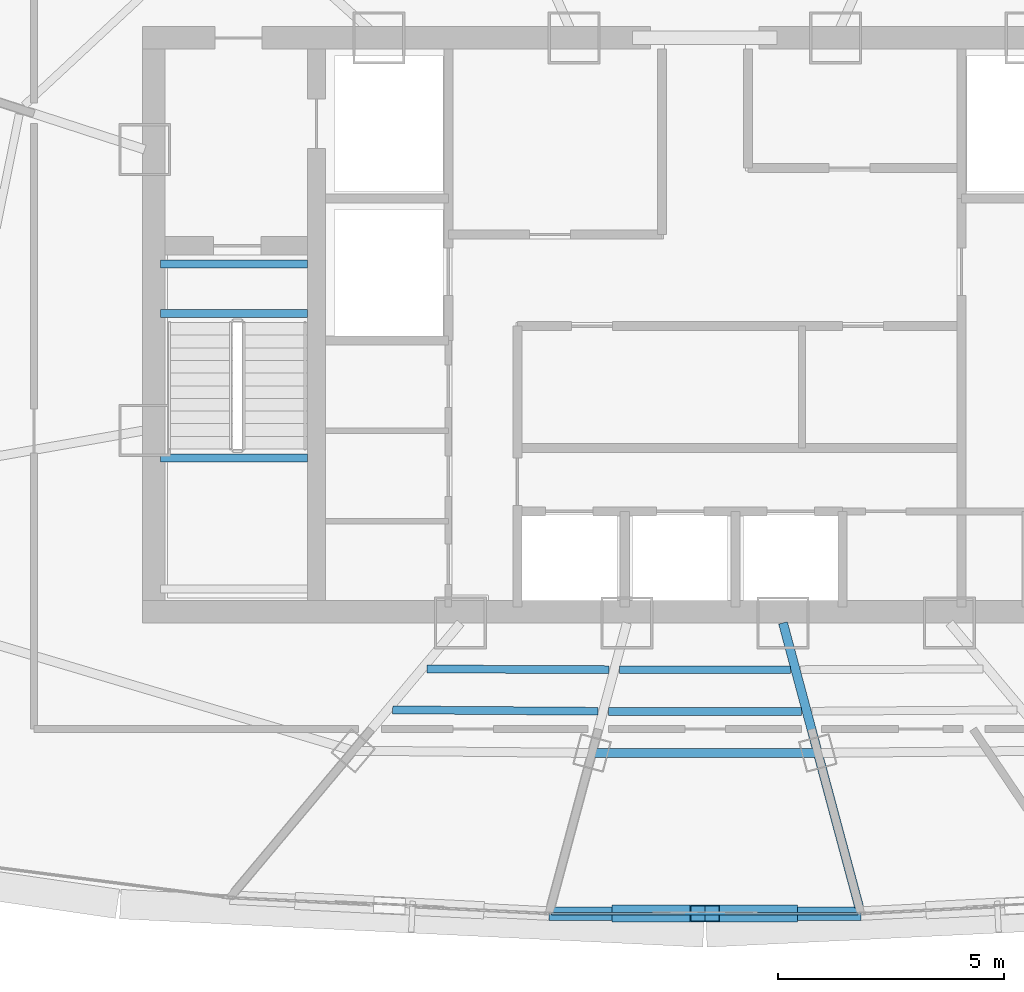
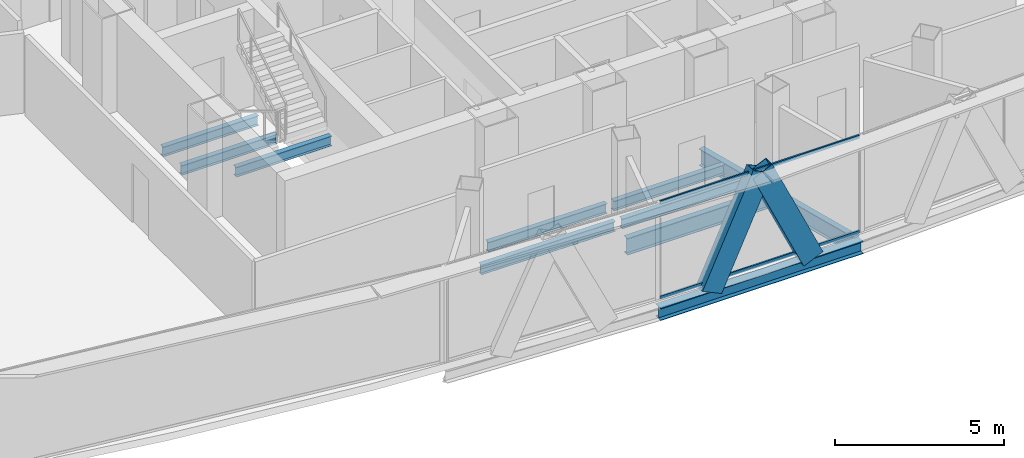
# One storey, part 7 of 33: 10 beams, 4 members, 1 element without a shape of its own.
"""IFC4 building model written with IfcOpenShell, lengths in metres."""

from ifc_helpers import new_model, si_unit, direction, frame, origin, origin_2d, place, context, subcontext, project, spatial, hollow_rectangle, i_section, extrude, source, transform, mapped, material, layer, layer_set, material_profile, profile_set, type_object, element, aggregate, save


model = new_model("IFC4")

# Units and contexts
model_context = context("Model", 3, precision=1e-05, world=origin(), true_north=direction((0.0, 1.0)))
body_context = subcontext(model_context, "Body", "Model", "MODEL_VIEW")
ifc_project = project(units=[si_unit("LENGTHUNIT", "METRE"), si_unit("AREAUNIT", "SQUARE_METRE"), si_unit("VOLUMEUNIT", "CUBIC_METRE"), si_unit("PLANEANGLEUNIT", "RADIAN"), si_unit("MASSUNIT", "GRAM", prefix="KILO"), si_unit("THERMODYNAMICTEMPERATUREUNIT", "KELVIN"), si_unit("POWERUNIT", "WATT")], contexts=[model_context])

# Site, building, storey
site_placement = place(None, origin())
site = spatial("IfcSite", under=ifc_project, at=site_placement, CompositionType="ELEMENT")
building_placement = place(site_placement, origin())
building = spatial("IfcBuilding", under=site, at=building_placement, Name="Yunzhuo Pagoda Commons", CompositionType="ELEMENT")
storey_placement = place(building_placement, frame((0.0, 0.0, 325.510009765625)))
storey = spatial("IfcBuildingStorey", under=building, at=storey_placement, Name="L81", CompositionType="ELEMENT", Elevation=325.510009765625)

# Beams
ifc_material_1 = material(Name="Structural steel Q355B", Category="steel")
ifc_material_profile_1 = material_profile(ifc_material_1, i_section(OverallWidth=0.175048828125, OverallDepth=0.35009765625, WebThickness=0.007080078125, FlangeThickness=0.010986328125, at=origin_2d()), Name="Structural steel Q355B")
ifc_profile_set_1 = profile_set([ifc_material_profile_1], Name="Structural steel Q355B")
beam_type_1 = type_object("IfcBeamType", Name="B-JS2 Joist HN 350x175x7x11", PredefinedType="JOIST", material=ifc_profile_set_1)
shared_shape_1 = source(origin(), body_context, "Body", "SweptSolid", [
    extrude(i_section(OverallWidth=0.175048828125, OverallDepth=0.35009765625, WebThickness=0.007080078125, FlangeThickness=0.010986328125, at=origin_2d()), origin(), (0.0, 0.0, 1.0), 3.25),
])
for number, where, z_axis, x_axis, name in (
    (1, (35.949951171875, 30.89990234375, 1.5), (1.0, 0.0, 0.0), (0.0, 1.0, 0.0), "L81 ST1 landing support beam 87B"),
    (2, (35.949951171875, 34.10009765625, -0.375), (1.0, 0.0, 0.0), (0.0, 1.0, 0.0), "L81 ST1 landing support beam 185A"),
    (3, (35.949951171875, 35.199951171875, -0.375), (1.0, 0.0, 0.0), (0.0, 1.0, 0.0), "L81 ST1 landing support beam 185B"),
):
    element("IfcBeam", number, at=place(storey_placement, frame(where, z_axis=z_axis, x_axis=x_axis)), inside=storey, type_object=beam_type_1, Name=name, PredefinedType="JOIST", context=body_context, shape_type="MappedRepresentation", body=[
        mapped(shared_shape_1, transform((0.0, 0.0, 0.0), scale=1.0)),
    ])
ifc_material_profile_2 = material_profile(ifc_material_1, i_section(OverallWidth=0.300048828125, OverallDepth=0.43994140625, WebThickness=0.010986328125, FlangeThickness=0.01806640625, at=origin_2d()), Name="Structural steel Q355B")
ifc_profile_set_2 = profile_set([ifc_material_profile_2], Name="Structural steel Q355B")
beam_type_2 = type_object("IfcBeamType", Name="B-SP2 Beam HM 440x300x11x18", PredefinedType="BEAM", material=ifc_profile_set_2)
shared_shape_2 = source(origin(), body_context, "Body", "SweptSolid", [
    extrude(i_section(OverallWidth=0.300048828125, OverallDepth=0.43994140625, WebThickness=0.010986328125, FlangeThickness=0.01806640625, at=origin_2d()), origin(), (0.0, 0.0, 1.0), 6.90380859375),
])
beam_1_placement = place(storey_placement, frame((44.548095703125, 20.817138671875, -0.47998046875), z_axis=(1.0, 0.0, 0.0), x_axis=(0.0, 1.0, 0.0)))
element("IfcBeam", 4, at=beam_1_placement, inside=storey, type_object=beam_type_2, Name="L81 facade edge spandrel beam F1.2", PredefinedType="BEAM", context=body_context, shape_type="MappedRepresentation", body=[
    mapped(shared_shape_2, transform((0.0, 0.0, 0.0), scale=1.0)),
])
ifc_material_profile_3 = material_profile(ifc_material_1, i_section(OverallWidth=0.199951171875, OverallDepth=0.60009765625, WebThickness=0.010986328125, FlangeThickness=0.01708984375, at=origin_2d()), Name="Structural steel Q355B")
ifc_profile_set_3 = profile_set([ifc_material_profile_3], Name="Structural steel Q355B")
beam_type_3 = type_object("IfcBeamType", Name="B-RG3 Beam HN 600x200x11x17", PredefinedType="BEAM", material=ifc_profile_set_3)
shared_shape_3 = source(origin(), body_context, "Body", "SweptSolid", [
    extrude(i_section(OverallWidth=0.199951171875, OverallDepth=0.60009765625, WebThickness=0.010986328125, FlangeThickness=0.01708984375, at=origin_2d()), origin(), (0.0, 0.0, 1.0), 4.99853515625),
])
beam_2_placement = place(storey_placement, frame((45.500732421875, 24.372802734375, -0.56005859375), z_axis=(1.0, 0.0, 0.0), x_axis=(0.0, 1.0, 0.0)))
element("IfcBeam", 5, at=beam_2_placement, inside=storey, type_object=beam_type_3, Name="L81 column-ring beam 2", PredefinedType="BEAM", context=body_context, shape_type="MappedRepresentation", body=[
    mapped(shared_shape_3, transform((0.0, 0.0, 0.0), scale=1.0)),
])
shared_shape_4 = source(origin(), body_context, "Body", "SweptSolid", [
    extrude(i_section(OverallWidth=0.199951171875, OverallDepth=0.60009765625, WebThickness=0.010986328125, FlangeThickness=0.01708984375, at=origin_2d()), origin(), (0.0, 0.0, 1.0), 6.5048828125),
])
beam_3_placement = place(storey_placement, frame((51.411865234375, 20.966796875, -0.56005859375), z_axis=(-0.258786113229, 0.965934649756, 0.0), x_axis=(-0.965934649756, -0.258786113229, 0.0)))
element("IfcBeam", 6, at=beam_3_placement, inside=storey, type_object=beam_type_3, Name="L81 radial floor girder F1C3", PredefinedType="BEAM", context=body_context, shape_type="MappedRepresentation", body=[
    mapped(shared_shape_4, transform((0.0, 0.0, 0.0), scale=1.0)),
])
shared_shape_5 = source(origin(), body_context, "Body", "SweptSolid", [
    extrude(i_section(OverallWidth=0.175048828125, OverallDepth=0.35009765625, WebThickness=0.007080078125, FlangeThickness=0.010986328125, at=origin_2d()), origin(), (0.0, 0.0, 1.0), 4.03076171875),
])
beam_4_placement = place(storey_placement, frame((41.848388671875, 26.231201171875, -0.43505859375), z_axis=(0.999991518197, -0.004118680996, 0.0), x_axis=(0.004118680996, 0.999991518197, 0.0)))
element("IfcBeam", 7, at=beam_4_placement, inside=storey, type_object=beam_type_1, Name="L81 composite ring joist 1.1", PredefinedType="JOIST", context=body_context, shape_type="MappedRepresentation", body=[
    mapped(shared_shape_5, transform((0.0, 0.0, 0.0), scale=1.0)),
])
shared_shape_6 = source(origin(), body_context, "Body", "SweptSolid", [
    extrude(i_section(OverallWidth=0.175048828125, OverallDepth=0.35009765625, WebThickness=0.007080078125, FlangeThickness=0.010986328125, at=origin_2d()), origin(), (0.0, 0.0, 1.0), 4.54345703125),
])
beam_5_placement = place(storey_placement, frame((41.089111328125, 25.325927734375, -0.43505859375), z_axis=(0.999975976237, -0.006931590593, 0.0), x_axis=(0.006931590593, 0.999975976237, 0.0)))
element("IfcBeam", 8, at=beam_5_placement, inside=storey, type_object=beam_type_1, Name="L81 composite ring joist 2.1", PredefinedType="JOIST", context=body_context, shape_type="MappedRepresentation", body=[
    mapped(shared_shape_6, transform((0.0, 0.0, 0.0), scale=1.0)),
])
shared_shape_7 = source(origin(), body_context, "Body", "SweptSolid", [
    extrude(i_section(OverallWidth=0.175048828125, OverallDepth=0.35009765625, WebThickness=0.007080078125, FlangeThickness=0.010986328125, at=origin_2d()), origin(), (0.0, 0.0, 1.0), 3.78173828125),
])
beam_6_placement = place(storey_placement, frame((46.109130859375, 26.214111328125, -0.43505859375), z_axis=(1.0, 0.0, 0.0), x_axis=(0.0, 1.0, 0.0)))
element("IfcBeam", 9, at=beam_6_placement, inside=storey, type_object=beam_type_1, Name="L81 composite ring joist 1.2", PredefinedType="JOIST", context=body_context, shape_type="MappedRepresentation", body=[
    mapped(shared_shape_7, transform((0.0, 0.0, 0.0), scale=1.0)),
])
shared_shape_8 = source(origin(), body_context, "Body", "SweptSolid", [
    extrude(i_section(OverallWidth=0.175048828125, OverallDepth=0.35009765625, WebThickness=0.007080078125, FlangeThickness=0.010986328125, at=origin_2d()), origin(), (0.0, 0.0, 1.0), 4.27490234375),
])
beam_7_placement = place(storey_placement, frame((45.862548828125, 25.29345703125, -0.43505859375), z_axis=(1.0, 0.0, 0.0), x_axis=(0.0, 1.0, 0.0)))
element("IfcBeam", 10, at=beam_7_placement, inside=storey, type_object=beam_type_1, Name="L81 composite ring joist 2.2", PredefinedType="JOIST", context=body_context, shape_type="MappedRepresentation", body=[
    mapped(shared_shape_8, transform((0.0, 0.0, 0.0), scale=1.0)),
])

# Members
ifc_material_profile_4 = material_profile(ifc_material_1, hollow_rectangle(XDim=0.3798828125, YDim=0.719970703125, WallThickness=0.02001953125, at=origin_2d()), Name="Structural steel Q355B")
ifc_profile_set_4 = profile_set([ifc_material_profile_4], Name="Structural steel Q355B")
member_type_1 = type_object("IfcMemberType", Name="M-DL3 Brace BOX 720x380x20", PredefinedType="BRACE", material=ifc_profile_set_4)
shared_shape_9 = source(origin(), body_context, "Body", "SweptSolid", [
    extrude(hollow_rectangle(XDim=0.3798828125, YDim=0.719970703125, WallThickness=0.02001953125, at=origin_2d()), origin(), (0.0, 0.0, 1.0), 4.128173828125),
])
for number, where, z_axis, x_axis, name in (
    (11, (46.27392578125, 20.817138671875, -0.260009765625), (0.418120367397, 0.0, 0.908391632705), (0.0, 1.0, 0.0), "L81 facade diamond brace F1.2L"),
    (12, (49.72607421875, 20.817138671875, -0.260009765625), (-0.418120367397, 0.0, 0.908391632705), (0.0, -1.0, 0.0), "L81 facade diamond brace F1.2R"),
):
    element("IfcMember", number, at=place(storey_placement, frame(where, z_axis=z_axis, x_axis=x_axis)), inside=storey, type_object=member_type_1, Name=name, PredefinedType="BRACE", context=body_context, shape_type="MappedRepresentation", body=[
        mapped(shared_shape_9, transform((0.0, 0.0, 0.0), scale=1.0)),
    ])

# Curtain wall, members
ifc_material_2 = material(Name="Anodized aluminium 6063-T6", Category="aluminium")
ifc_layer = layer(ifc_material_2, 0.139892578125)
ifc_layer_set = layer_set([ifc_layer], Name="Anodized aluminium 6063-T6")
curtain_wall_type = type_object("IfcCurtainWallType", Name="CW-HI High-Zone Ribbon Curtain Wall", PredefinedType="NOTDEFINED", material=ifc_layer_set)
curtain_wall_placement = place(storey_placement, origin())
curtain_wall = element("IfcCurtainWall", 13, at=curtain_wall_placement, inside=storey, type_object=curtain_wall_type, Name="L81 curtain wall CW-L81-F1B3", PredefinedType="NOTDEFINED")
ifc_material_profile_5 = material_profile(ifc_material_2, hollow_rectangle(XDim=0.054931640625, YDim=0.1201171875, WallThickness=0.00341796875, at=origin_2d()), Name="Anodized aluminium 6063-T6")
ifc_profile_set_5 = profile_set([ifc_material_profile_5], Name="Anodized aluminium 6063-T6")
member_type_2 = type_object("IfcMemberType", Name="CW-HI-T Transom RHS 120x55x3.5", PredefinedType="USERDEFINED", material=ifc_profile_set_5)
shared_shape_10 = source(origin(), body_context, "Body", "SweptSolid", [
    extrude(hollow_rectangle(XDim=0.054931640625, YDim=0.1201171875, WallThickness=0.00341796875, at=origin_2d()), origin(), (0.0, 0.0, 1.0), 6.7841796875),
])
member_1_placement = place(storey_placement, frame((44.60791015625, 20.817138671875, 0.027587890625), z_axis=(1.0, 0.0, 0.0), x_axis=(0.0, 1.0, 0.0)))
member_1 = element("IfcMember", 14, at=member_1_placement, type_object=member_type_2, Name="CW transom 1.1", ObjectType="TRANSOM", PredefinedType="USERDEFINED", context=body_context, shape_type="MappedRepresentation", body=[
    mapped(shared_shape_10, transform((0.0, 0.0, 0.0), scale=1.0)),
])
member_2_placement = place(storey_placement, frame((44.60791015625, 20.817138671875, 3.46240234375), z_axis=(1.0, 0.0, 0.0), x_axis=(0.0, 1.0, 0.0)))
member_2 = element("IfcMember", 15, at=member_2_placement, type_object=member_type_2, Name="CW transom 1.2", ObjectType="TRANSOM", PredefinedType="USERDEFINED", context=body_context, shape_type="MappedRepresentation", body=[
    mapped(shared_shape_10, transform((0.0, 0.0, 0.0), scale=1.0)),
])
aggregate(curtain_wall, [member_1, member_2])

save(model, "model.ifc")
